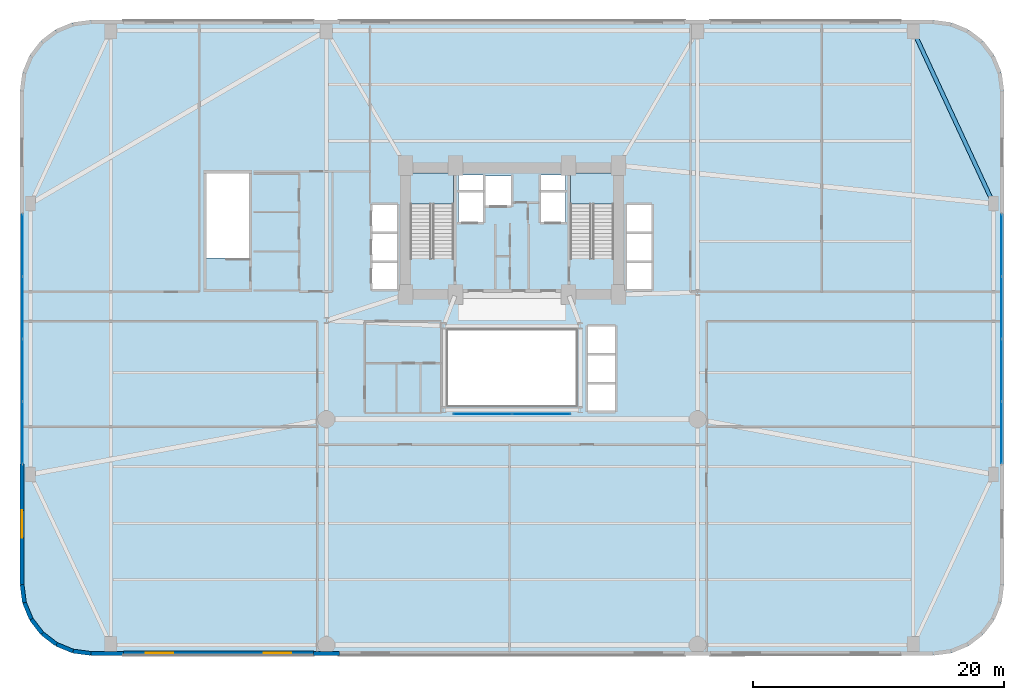
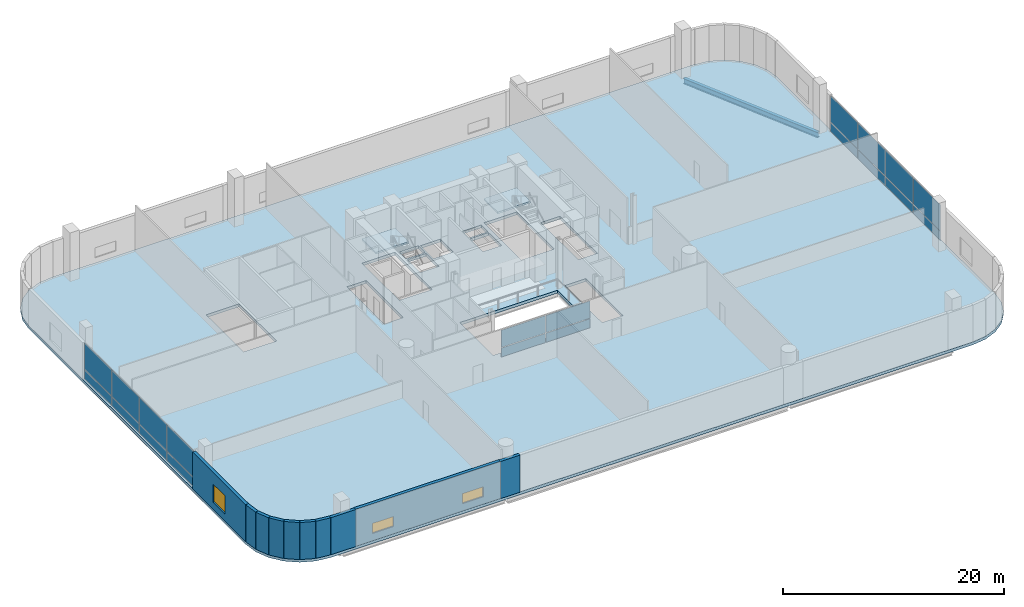
# One storey, part 21 of 31: 20 plates, 10 walls, 3 slabs, 3 windows, 1 beam, 3 openings, 5 elements without a shape of their own.
"""IFC4 building model written with IfcOpenShell, lengths in metres."""

from ifc_helpers import new_model, si_unit, direction, frame, frame_2d, origin, origin_2d, place, context, subcontext, project, spatial, polyline, rectangle, i_section, outline, extrude, source, transform, mapped, material, layer, layer_set, material_profile, profile_set, type_object, element, fill, aggregate, save


model = new_model("IFC4")

# Units and contexts
model_context = context("Model", 3, precision=1e-05, world=origin(), true_north=direction((0.0, 1.0)))
body_context = subcontext(model_context, "Body", "Model", "MODEL_VIEW")
ifc_project = project(units=[si_unit("LENGTHUNIT", "METRE"), si_unit("AREAUNIT", "SQUARE_METRE"), si_unit("VOLUMEUNIT", "CUBIC_METRE"), si_unit("PLANEANGLEUNIT", "RADIAN"), si_unit("MASSUNIT", "GRAM", prefix="KILO")], contexts=[model_context])

# Site, building, storey
site_placement = place(None, origin())
site = spatial("IfcSite", under=ifc_project, at=site_placement, CompositionType="ELEMENT")
building_placement = place(site_placement, origin())
building = spatial("IfcBuilding", under=site, at=building_placement, Name="Varnelok Gate Tower", CompositionType="ELEMENT")
storey_placement = place(building_placement, frame((0.0, 0.0, 21.60009765625)))
storey = spatial("IfcBuildingStorey", under=building, at=storey_placement, Name="L04", CompositionType="ELEMENT", Elevation=21.60009765625)

# Beam
ifc_material_1 = material(Name="Structural Steel ASTM A992 Grade 50", Category="steel")
ifc_material_profile = material_profile(ifc_material_1, i_section(OverallWidth=0.323974609375, OverallDepth=0.611083984375, WebThickness=0.0126953125, FlangeThickness=0.01904296875, FilletRadius=0.01806640625, at=origin_2d()), Name="W24X104")
ifc_profile_set = profile_set([ifc_material_profile], Name="Structural Steel ASTM A992 Grade 50")
beam_type = type_object("IfcBeamType", Name="BM-SPN-W24X104", PredefinedType="SPANDREL", material=ifc_profile_set)
beam_placement = place(storey_placement, frame((77.541015625, 36.126953125, -0.62548828125), z_axis=(-0.420722638096, 0.907189319709, 0.0), x_axis=(-0.907189319709, -0.420722638096, 0.0)))
element("IfcBeam", 1, at=beam_placement, inside=storey, type_object=beam_type, Name="L04 Podium Primary Girder 11", PredefinedType="SPANDREL", context=body_context, shape_type="SweptSolid", body=[
    extrude(i_section(OverallWidth=0.323974609375, OverallDepth=0.611083984375, WebThickness=0.0126953125, FlangeThickness=0.01904296875, FilletRadius=0.01806640625, at=origin_2d()), origin(), (0.0, 0.0, 1.0), 14.931884765625),
])

# Stair, slab
ifc_material_2 = material(Name="Concrete C50/60", Category="concrete")
stair_type = type_object("IfcStairType", Name="STR-CORE-1650", PredefinedType="HALF_TURN_STAIR", material=ifc_material_2)
stair_1_placement = place(storey_placement, origin())
stair_1 = element("IfcStair", 2, at=stair_1_placement, inside=storey, type_object=stair_type, Name="L04 Exit Stair ST-1", PredefinedType="HALF_TURN_STAIR")
ifc_material_3 = material(Name="Concrete C45/55", Category="concrete")
ifc_layer_1 = layer(ifc_material_3, 0.199951171875)
ifc_layer_set_1 = layer_set([ifc_layer_1], Name="Concrete C45/55")
slab_type_1 = type_object("IfcSlabType", Name="SLB-LAND-200", PredefinedType="LANDING", material=ifc_layer_set_1)
slab_1_placement = place(storey_placement, frame((0.0, 0.0, 2.5)))
slab_1 = element("IfcSlab", 3, at=slab_1_placement, type_object=slab_type_1, Name="ST-1 landing 1", PredefinedType="LANDING", context=body_context, shape_type="SweptSolid", body=[
    extrude(outline(polyline([(34.550048828125, 35.949951171875), (34.550048828125, 38.449951171875), (31.10009765625, 38.449951171875), (31.10009765625, 35.949951171875), (34.550048828125, 35.949951171875)])), origin(), (0.0, 0.0, 1.0), 0.199951171875),
])
aggregate(stair_1, [slab_1])

stair_2_placement = place(storey_placement, origin())
stair_2 = element("IfcStair", 4, at=stair_2_placement, inside=storey, type_object=stair_type, Name="L04 Exit Stair ST-2", PredefinedType="HALF_TURN_STAIR")
slab_2_placement = place(storey_placement, frame((0.0, 0.0, 2.5)))
slab_2 = element("IfcSlab", 5, at=slab_2_placement, type_object=slab_type_1, Name="ST-2 landing 1", PredefinedType="LANDING", context=body_context, shape_type="SweptSolid", body=[
    extrude(outline(polyline([(47.300048828125, 35.949951171875), (47.300048828125, 38.449951171875), (43.85009765625, 38.449951171875), (43.85009765625, 35.949951171875), (47.300048828125, 35.949951171875)])), origin(), (0.0, 0.0, 1.0), 0.199951171875),
])
aggregate(stair_2, [slab_2])

# Slab
ifc_material_4 = material(Name="Concrete C60/75", Category="concrete")
ifc_layer_2 = layer(ifc_material_4, 0.320068359375)
ifc_layer_set_2 = layer_set([ifc_layer_2], Name="Concrete C60/75")
slab_type_2 = type_object("IfcSlabType", Name="SLB-TRN-320", PredefinedType="FLOOR", material=ifc_layer_set_2)
slab_3_placement = place(storey_placement, frame((0.0, 0.0, -0.320068359375)))
element("IfcSlab", 6, at=slab_3_placement, inside=storey, type_object=slab_type_2, Name="L04 Structural Floor Slab", PredefinedType="FLOOR", context=body_context, shape_type="SweptSolid", body=[
    extrude(outline(polyline([(0.0, 5.60009765625), (0.19091796875, 4.150634765625), (0.750244140625, 2.800048828125), (1.64013671875, 1.64013671875), (2.800048828125, 0.750244140625), (4.150634765625, 0.19091796875), (5.60009765625, 0.0), (72.800048828125, 0.0), (74.24951171875, 0.19091796875), (75.60009765625, 0.750244140625), (76.759765625, 1.64013671875), (77.649658203125, 2.800048828125), (78.209228515625, 4.150634765625), (78.39990234375, 5.60009765625), (78.39990234375, 45.0), (78.209228515625, 46.449462890625), (77.649658203125, 47.800048828125), (76.759765625, 48.959716796875), (75.60009765625, 49.849609375), (74.24951171875, 50.4091796875), (72.800048828125, 50.60009765625), (5.60009765625, 50.60009765625), (4.150634765625, 50.4091796875), (2.800048828125, 49.849609375), (1.64013671875, 48.959716796875), (0.750244140625, 47.800048828125), (0.19091796875, 46.449462890625), (0.0, 45.0), (0.0, 5.60009765625)]), holes=[polyline([(34.550048828125, 31.679931640625), (34.550048828125, 38.449951171875), (31.10009765625, 38.449951171875), (31.10009765625, 31.679931640625), (34.550048828125, 31.679931640625)]), polyline([(47.300048828125, 31.679931640625), (47.300048828125, 38.449951171875), (43.85009765625, 38.449951171875), (43.85009765625, 31.679931640625), (47.300048828125, 31.679931640625)]), polyline([(18.25, 31.679931640625), (18.25, 38.449951171875), (14.800048828125, 38.449951171875), (14.800048828125, 31.679931640625), (18.25, 31.679931640625)]), polyline([(34.949951171875, 34.550048828125), (36.89990234375, 34.550048828125), (36.89990234375, 36.89990234375), (34.949951171875, 36.89990234375), (34.949951171875, 34.550048828125)]), polyline([(41.5, 34.550048828125), (43.449951171875, 34.550048828125), (43.449951171875, 36.89990234375), (41.5, 36.89990234375), (41.5, 34.550048828125)]), polyline([(37.050048828125, 35.85009765625), (39.14990234375, 35.85009765625), (39.14990234375, 38.199951171875), (37.050048828125, 38.199951171875), (37.050048828125, 35.85009765625)]), polyline([(28.050048828125, 29.14990234375), (30.050048828125, 29.14990234375), (30.050048828125, 35.89990234375), (28.050048828125, 35.89990234375), (28.050048828125, 29.14990234375)]), polyline([(48.35009765625, 29.14990234375), (50.35009765625, 29.14990234375), (50.35009765625, 35.89990234375), (48.35009765625, 35.89990234375), (48.35009765625, 29.14990234375)]), polyline([(45.25, 19.449951171875), (47.449951171875, 19.449951171875), (47.449951171875, 26.199951171875), (45.25, 26.199951171875), (45.25, 19.449951171875)]), polyline([(34.919921875, 37.080078125), (36.89990234375, 37.080078125), (36.89990234375, 38.280029296875), (34.919921875, 38.280029296875), (34.919921875, 37.080078125)]), polyline([(41.5, 37.080078125), (43.47998046875, 37.080078125), (43.47998046875, 38.280029296875), (41.5, 38.280029296875), (41.5, 37.080078125)]), polyline([(34.10009765625, 19.89990234375), (44.300048828125, 19.89990234375), (44.300048828125, 25.89990234375), (34.10009765625, 25.89990234375), (34.10009765625, 19.89990234375)])]), origin(), (0.0, 0.0, 1.0), 0.320068359375),
])

# Curtain wall, plates
ifc_material_5 = material(Name="Anodized Aluminum Alloy 6063-T6", Category="aluminium")
ifc_layer_3 = layer(ifc_material_5, 0.179931640625)
ifc_layer_set_3 = layer_set([ifc_layer_3], Name="Anodized Aluminum Alloy 6063-T6")
curtain_wall_type_1 = type_object("IfcCurtainWallType", Name="CW1-ARCH-PORTAL", PredefinedType="USERDEFINED", material=ifc_layer_set_3)
curtain_wall_1_placement = place(storey_placement, origin())
curtain_wall_1 = element("IfcCurtainWall", 7, at=curtain_wall_1_placement, inside=storey, type_object=curtain_wall_type_1, Name="L04 Podium Portal Curtain Wall W", ObjectType="UNITISED CURTAIN WALL", PredefinedType="USERDEFINED")
ifc_material_6 = material(Name="Low-E Laminated Double Glazing IGU", Category="glass")
ifc_layer_4 = layer(ifc_material_6, 0.028076171875)
ifc_layer_set_4 = layer_set([ifc_layer_4], Name="Low-E Laminated Double Glazing IGU")
plate_type = type_object("IfcPlateType", Name="CW-PNL-IGU28", PredefinedType="CURTAIN_PANEL", material=ifc_layer_set_4)
shared_shape_1 = source(origin(), body_context, "Body", "SweptSolid", [
    extrude(rectangle(XDim=4.887451171875, YDim=0.028076171875, at=origin_2d()), origin(), (0.0, 0.0, 1.0), 0.987548828125),
])
plate_1_placement = place(storey_placement, frame((0.159912109375, 17.71875, 0.07470703125), z_axis=(0.0, 0.0, 1.0), x_axis=(0.0, 1.0, 0.0)))
plate_1 = element("IfcPlate", 8, at=plate_1_placement, type_object=plate_type, Name="CW1 panel 1.1", PredefinedType="CURTAIN_PANEL", context=body_context, shape_type="MappedRepresentation", body=[
    mapped(shared_shape_1, transform((0.0, 0.0, 0.0), scale=1.0)),
])
plate_2_placement = place(storey_placement, frame((0.159912109375, 32.68115234375, 0.07470703125), z_axis=(0.0, 0.0, 1.0), x_axis=(0.0, 1.0, 0.0)))
plate_2 = element("IfcPlate", 9, at=plate_2_placement, type_object=plate_type, Name="CW1 panel 4.1", PredefinedType="CURTAIN_PANEL", context=body_context, shape_type="MappedRepresentation", body=[
    mapped(shared_shape_1, transform((0.0, 0.0, 0.0), scale=1.0)),
])

curtain_wall_2_placement = place(storey_placement, origin())
curtain_wall_2 = element("IfcCurtainWall", 10, at=curtain_wall_2_placement, inside=storey, type_object=curtain_wall_type_1, Name="L04 Podium Portal Curtain Wall E", ObjectType="UNITISED CURTAIN WALL", PredefinedType="USERDEFINED")
plate_3_placement = place(storey_placement, frame((78.239990234375, 32.68115234375, 0.07470703125), z_axis=(0.0, 0.0, 1.0), x_axis=(0.0, -1.0, 0.0)))
plate_3 = element("IfcPlate", 11, at=plate_3_placement, type_object=plate_type, Name="CW1 panel 1.1", PredefinedType="CURTAIN_PANEL", context=body_context, shape_type="MappedRepresentation", body=[
    mapped(shared_shape_1, transform((0.0, 0.0, 0.0), scale=1.0)),
])
plate_4_placement = place(storey_placement, frame((78.239990234375, 17.71875, 0.07470703125), z_axis=(0.0, 0.0, 1.0), x_axis=(0.0, -1.0, 0.0)))
plate_4 = element("IfcPlate", 12, at=plate_4_placement, type_object=plate_type, Name="CW1 panel 4.1", PredefinedType="CURTAIN_PANEL", context=body_context, shape_type="MappedRepresentation", body=[
    mapped(shared_shape_1, transform((0.0, 0.0, 0.0), scale=1.0)),
])

# Plate
shared_shape_2 = source(origin(), body_context, "Body", "SweptSolid", [
    extrude(rectangle(XDim=4.925048828125, YDim=0.028076171875, at=origin_2d()), origin(), (0.0, 0.0, 1.0), 0.987548828125),
])
plate_5_placement = place(storey_placement, frame((0.159912109375, 22.699951171875, 0.07470703125), z_axis=(0.0, 0.0, 1.0), x_axis=(0.0, 1.0, 0.0)))
plate_5 = element("IfcPlate", 13, at=plate_5_placement, type_object=plate_type, Name="CW1 panel 2.1", PredefinedType="CURTAIN_PANEL", context=body_context, shape_type="MappedRepresentation", body=[
    mapped(shared_shape_2, transform((0.0, 0.0, 0.0), scale=1.0)),
])

plate_6_placement = place(storey_placement, frame((0.159912109375, 27.699951171875, 0.07470703125), z_axis=(0.0, 0.0, 1.0), x_axis=(0.0, 1.0, 0.0)))
plate_6 = element("IfcPlate", 14, at=plate_6_placement, type_object=plate_type, Name="CW1 panel 3.1", PredefinedType="CURTAIN_PANEL", context=body_context, shape_type="MappedRepresentation", body=[
    mapped(shared_shape_2, transform((0.0, 0.0, 0.0), scale=1.0)),
])

plate_7_placement = place(storey_placement, frame((78.239990234375, 27.699951171875, 0.07470703125), z_axis=(0.0, 0.0, 1.0), x_axis=(0.0, -1.0, 0.0)))
plate_7 = element("IfcPlate", 15, at=plate_7_placement, type_object=plate_type, Name="CW1 panel 2.1", PredefinedType="CURTAIN_PANEL", context=body_context, shape_type="MappedRepresentation", body=[
    mapped(shared_shape_2, transform((0.0, 0.0, 0.0), scale=1.0)),
])

plate_8_placement = place(storey_placement, frame((78.239990234375, 22.699951171875, 0.07470703125), z_axis=(0.0, 0.0, 1.0), x_axis=(0.0, -1.0, 0.0)))
plate_8 = element("IfcPlate", 16, at=plate_8_placement, type_object=plate_type, Name="CW1 panel 3.1", PredefinedType="CURTAIN_PANEL", context=body_context, shape_type="MappedRepresentation", body=[
    mapped(shared_shape_2, transform((0.0, 0.0, 0.0), scale=1.0)),
])

# Curtain wall, plates
ifc_layer_5 = layer(ifc_material_5, 0.179931640625)
ifc_layer_set_5 = layer_set([ifc_layer_5], Name="Anodized Aluminum Alloy 6063-T6")
curtain_wall_type_2 = type_object("IfcCurtainWallType", Name="CW2-ATRIUM-GLAZING", PredefinedType="USERDEFINED", material=ifc_layer_set_5)
curtain_wall_3_placement = place(storey_placement, origin())
curtain_wall_3 = element("IfcCurtainWall", 17, at=curtain_wall_3_placement, inside=storey, type_object=curtain_wall_type_2, Name="L04 Internal Atrium Gallery Curtain Wall", ObjectType="UNITISED CURTAIN WALL", PredefinedType="USERDEFINED")
shared_shape_3 = source(origin(), body_context, "Body", "SweptSolid", [
    extrude(rectangle(XDim=4.6025390625, YDim=0.028076171875, at=origin_2d()), origin(), (0.0, 0.0, 1.0), 1.00244140625),
])
plate_9_placement = place(storey_placement, frame((36.8662109375, 19.219970703125, 0.06494140625), z_axis=(0.0, 0.0, 1.0), x_axis=(1.0, 0.0, 0.0)))
plate_9 = element("IfcPlate", 18, at=plate_9_placement, type_object=plate_type, Name="CW2 panel 1.1", PredefinedType="CURTAIN_PANEL", context=body_context, shape_type="MappedRepresentation", body=[
    mapped(shared_shape_3, transform((0.0, 0.0, 0.0), scale=1.0)),
])
plate_10_placement = place(storey_placement, frame((41.53369140625, 19.219970703125, 0.06494140625), z_axis=(0.0, 0.0, 1.0), x_axis=(1.0, 0.0, 0.0)))
plate_10 = element("IfcPlate", 19, at=plate_10_placement, type_object=plate_type, Name="CW2 panel 2.1", PredefinedType="CURTAIN_PANEL", context=body_context, shape_type="MappedRepresentation", body=[
    mapped(shared_shape_3, transform((0.0, 0.0, 0.0), scale=1.0)),
])
shared_shape_4 = source(origin(), body_context, "Body", "SweptSolid", [
    extrude(rectangle(XDim=4.6025390625, YDim=0.028076171875, at=origin_2d()), origin(), (0.0, 0.0, 1.0), 1.902587890625),
])
plate_11_placement = place(storey_placement, frame((36.8662109375, 19.219970703125, 1.13232421875), z_axis=(0.0, 0.0, 1.0), x_axis=(1.0, 0.0, 0.0)))
plate_11 = element("IfcPlate", 20, at=plate_11_placement, type_object=plate_type, Name="CW2 panel 1.2", PredefinedType="CURTAIN_PANEL", context=body_context, shape_type="MappedRepresentation", body=[
    mapped(shared_shape_4, transform((0.0, 0.0, 0.0), scale=1.0)),
])
plate_12_placement = place(storey_placement, frame((41.53369140625, 19.219970703125, 1.13232421875), z_axis=(0.0, 0.0, 1.0), x_axis=(1.0, 0.0, 0.0)))
plate_12 = element("IfcPlate", 21, at=plate_12_placement, type_object=plate_type, Name="CW2 panel 2.2", PredefinedType="CURTAIN_PANEL", context=body_context, shape_type="MappedRepresentation", body=[
    mapped(shared_shape_4, transform((0.0, 0.0, 0.0), scale=1.0)),
])
aggregate(curtain_wall_3, [plate_9, plate_11, plate_10, plate_12])

# Plate
shared_shape_5 = source(origin(), body_context, "Body", "SweptSolid", [
    extrude(rectangle(XDim=4.887451171875, YDim=0.028076171875, at=origin_2d()), origin(), (0.0, 0.0, 1.0), 2.887451171875),
])
plate_13_placement = place(storey_placement, frame((0.159912109375, 17.71875, 1.13720703125), z_axis=(0.0, 0.0, 1.0), x_axis=(0.0, 1.0, 0.0)))
plate_13 = element("IfcPlate", 22, at=plate_13_placement, type_object=plate_type, Name="CW1 panel 1.2", PredefinedType="CURTAIN_PANEL", context=body_context, shape_type="MappedRepresentation", body=[
    mapped(shared_shape_5, transform((0.0, 0.0, 0.0), scale=1.0)),
])

plate_14_placement = place(storey_placement, frame((0.159912109375, 32.68115234375, 1.13720703125), z_axis=(0.0, 0.0, 1.0), x_axis=(0.0, 1.0, 0.0)))
plate_14 = element("IfcPlate", 23, at=plate_14_placement, type_object=plate_type, Name="CW1 panel 4.2", PredefinedType="CURTAIN_PANEL", context=body_context, shape_type="MappedRepresentation", body=[
    mapped(shared_shape_5, transform((0.0, 0.0, 0.0), scale=1.0)),
])

plate_15_placement = place(storey_placement, frame((78.239990234375, 32.68115234375, 1.13720703125), z_axis=(0.0, 0.0, 1.0), x_axis=(0.0, -1.0, 0.0)))
plate_15 = element("IfcPlate", 24, at=plate_15_placement, type_object=plate_type, Name="CW1 panel 1.2", PredefinedType="CURTAIN_PANEL", context=body_context, shape_type="MappedRepresentation", body=[
    mapped(shared_shape_5, transform((0.0, 0.0, 0.0), scale=1.0)),
])

plate_16_placement = place(storey_placement, frame((78.239990234375, 17.71875, 1.13720703125), z_axis=(0.0, 0.0, 1.0), x_axis=(0.0, -1.0, 0.0)))
plate_16 = element("IfcPlate", 25, at=plate_16_placement, type_object=plate_type, Name="CW1 panel 4.2", PredefinedType="CURTAIN_PANEL", context=body_context, shape_type="MappedRepresentation", body=[
    mapped(shared_shape_5, transform((0.0, 0.0, 0.0), scale=1.0)),
])

shared_shape_6 = source(origin(), body_context, "Body", "SweptSolid", [
    extrude(rectangle(XDim=4.925048828125, YDim=0.028076171875, at=origin_2d()), origin(), (0.0, 0.0, 1.0), 2.887451171875),
])
plate_17_placement = place(storey_placement, frame((0.159912109375, 22.699951171875, 1.13720703125), z_axis=(0.0, 0.0, 1.0), x_axis=(0.0, 1.0, 0.0)))
plate_17 = element("IfcPlate", 26, at=plate_17_placement, type_object=plate_type, Name="CW1 panel 2.2", PredefinedType="CURTAIN_PANEL", context=body_context, shape_type="MappedRepresentation", body=[
    mapped(shared_shape_6, transform((0.0, 0.0, 0.0), scale=1.0)),
])

plate_18_placement = place(storey_placement, frame((0.159912109375, 27.699951171875, 1.13720703125), z_axis=(0.0, 0.0, 1.0), x_axis=(0.0, 1.0, 0.0)))
plate_18 = element("IfcPlate", 27, at=plate_18_placement, type_object=plate_type, Name="CW1 panel 3.2", PredefinedType="CURTAIN_PANEL", context=body_context, shape_type="MappedRepresentation", body=[
    mapped(shared_shape_6, transform((0.0, 0.0, 0.0), scale=1.0)),
])

aggregate(curtain_wall_1, [plate_1, plate_13, plate_5, plate_17, plate_6, plate_18, plate_2, plate_14])

plate_19_placement = place(storey_placement, frame((78.239990234375, 27.699951171875, 1.13720703125), z_axis=(0.0, 0.0, 1.0), x_axis=(0.0, -1.0, 0.0)))
plate_19 = element("IfcPlate", 28, at=plate_19_placement, type_object=plate_type, Name="CW1 panel 2.2", PredefinedType="CURTAIN_PANEL", context=body_context, shape_type="MappedRepresentation", body=[
    mapped(shared_shape_6, transform((0.0, 0.0, 0.0), scale=1.0)),
])

plate_20_placement = place(storey_placement, frame((78.239990234375, 22.699951171875, 1.13720703125), z_axis=(0.0, 0.0, 1.0), x_axis=(0.0, -1.0, 0.0)))
plate_20 = element("IfcPlate", 29, at=plate_20_placement, type_object=plate_type, Name="CW1 panel 3.2", PredefinedType="CURTAIN_PANEL", context=body_context, shape_type="MappedRepresentation", body=[
    mapped(shared_shape_6, transform((0.0, 0.0, 0.0), scale=1.0)),
])

aggregate(curtain_wall_2, [plate_3, plate_15, plate_7, plate_19, plate_8, plate_20, plate_4, plate_16])

# Wall, openings, windows
ifc_layer_6 = layer(ifc_material_3, 0.320068359375)
ifc_layer_set_6 = layer_set([ifc_layer_6], Name="Concrete C45/55")
wall_type = type_object("IfcWallType", Name="EW-POD-320", PredefinedType="SOLIDWALL", material=ifc_layer_set_6)
wall_1_placement = place(storey_placement, frame((23.39990234375, 0.159912109375, 0.0), z_axis=(0.0, 0.0, 1.0), x_axis=(-1.0, 0.0, 0.0)))
wall_1 = element("IfcWall", 30, at=wall_1_placement, inside=storey, type_object=wall_type, Name="L04 South Podium Arch Facade Wall 1", PredefinedType="SOLIDWALL", context=body_context, shape_type="SweptSolid", body=[
    extrude(rectangle(XDim=15.199951171875, YDim=0.320068359375, at=frame_2d((7.60009765625, 0.0))), origin(), (0.0, 0.0, 1.0), 4.099853515625),
])
opening_1_placement = place(wall_1_placement, frame((1.800048828125, 0.0, 0.800048828125)))
opening_1 = element("IfcOpeningElement", 31, at=opening_1_placement, cuts=wall_1, Name="Opening WN2B", PredefinedType="OPENING", context=body_context, shape_type="SweptSolid", body=[
    extrude(rectangle(XDim=2.199951171875, YDim=1.110107421875, at=frame_2d((1.10009765625, 0.55517578125))), frame((0.0, 0.169921875, 0.0), z_axis=(0.0, -1.0, 0.0), x_axis=(1.0, 0.0, 0.0)), (0.0, 0.0, 1.0), 0.340087890625),
])
opening_2_placement = place(wall_1_placement, frame((11.199951171875, 0.0, 0.800048828125)))
opening_2 = element("IfcOpeningElement", 32, at=opening_2_placement, cuts=wall_1, Name="Opening WN2B", PredefinedType="OPENING", context=body_context, shape_type="SweptSolid", body=[
    extrude(rectangle(XDim=2.199951171875, YDim=1.110107421875, at=frame_2d((1.10009765625, 0.55517578125))), frame((0.0, 0.169921875, 0.0), z_axis=(0.0, -1.0, 0.0), x_axis=(1.0, 0.0, 0.0)), (0.0, 0.0, 1.0), 0.340087890625),
])
window_type_1 = type_object("IfcWindowType", Name="WN-POD-2200X1110", PartitioningType="SINGLE_PANEL", PredefinedType="WINDOW", material=ifc_material_6)
window_1_placement = place(opening_1_placement, origin())
window_1 = element("IfcWindow", 33, at=window_1_placement, inside=storey, type_object=window_type_1, Name="L04 Podium Arch Facade Window S1.1", OverallHeight=1.110107421875, OverallWidth=2.199951171875, PartitioningType="SINGLE_PANEL", PredefinedType="WINDOW", context=body_context, shape_type="SweptSolid", body=[
    extrude(rectangle(XDim=2.199951171875, YDim=1.110107421875, at=frame_2d((1.10009765625, 0.55517578125))), frame((0.0, 0.030029296875, 0.0), z_axis=(0.0, -1.0, 0.0), x_axis=(1.0, 0.0, 0.0)), (0.0, 0.0, 1.0), 0.06005859375),
])
fill(opening_1, window_1)
window_2_placement = place(opening_2_placement, origin())
window_2 = element("IfcWindow", 34, at=window_2_placement, inside=storey, type_object=window_type_1, Name="L04 Podium Arch Facade Window S1.2", OverallHeight=1.110107421875, OverallWidth=2.199951171875, PartitioningType="SINGLE_PANEL", PredefinedType="WINDOW", context=body_context, shape_type="SweptSolid", body=[
    extrude(rectangle(XDim=2.199951171875, YDim=1.110107421875, at=frame_2d((1.10009765625, 0.55517578125))), frame((0.0, 0.030029296875, 0.0), z_axis=(0.0, -1.0, 0.0), x_axis=(1.0, 0.0, 0.0)), (0.0, 0.0, 1.0), 0.06005859375),
])
fill(opening_2, window_2)

# Walls
wall_2_placement = place(storey_placement, frame((0.1201171875, 5.60791015625, 0.0), z_axis=(0.0, 0.0, 1.0), x_axis=(0.130362303307, -0.991466423978, 0.0)))
element("IfcWall", 35, at=wall_2_placement, inside=storey, type_object=wall_type, Name="L04 Perimeter Facade Closure Wall 1", PredefinedType="SOLIDWALL", context=body_context, shape_type="SweptSolid", body=[
    extrude(rectangle(XDim=1.438232421875, YDim=0.320068359375, at=frame_2d((0.71923828125, 0.0))), origin(), (0.0, 0.0, 1.0), 4.099853515625),
])
wall_3_placement = place(storey_placement, frame((0.3173828125, 4.15869140625, 0.0), z_axis=(0.0, 0.0, 1.0), x_axis=(0.382628033724, -0.923902477434, 0.0)))
element("IfcWall", 36, at=wall_3_placement, inside=storey, type_object=wall_type, Name="L04 Perimeter Facade Closure Wall 2", PredefinedType="SOLIDWALL", context=body_context, shape_type="SweptSolid", body=[
    extrude(rectangle(XDim=1.405029296875, YDim=0.320068359375, at=frame_2d((0.70263671875, 0.0))), origin(), (0.0, 0.0, 1.0), 4.099853515625),
])
wall_4_placement = place(storey_placement, frame((0.870361328125, 2.8408203125, 0.0), z_axis=(0.0, 0.0, 1.0), x_axis=(0.60871962085, -0.79338541907, 0.0)))
element("IfcWall", 37, at=wall_4_placement, inside=storey, type_object=wall_type, Name="L04 Perimeter Facade Closure Wall 3", PredefinedType="SOLIDWALL", context=body_context, shape_type="SweptSolid", body=[
    extrude(rectangle(XDim=1.4052734375, YDim=0.320068359375, at=frame_2d((0.70263671875, 0.0))), origin(), (0.0, 0.0, 1.0), 4.099853515625),
])
for number, where, z_axis, x_axis, name in (
    (38, (1.74560546875, 1.710693359375, 0.0), (0.0, 0.0, 1.0), (0.793301521807, -0.608828954222, 0.0), "L04 Perimeter Facade Closure Wall 4"),
    (39, (2.883544921875, 0.845703125, 0.0), (0.0, 0.0, 1.0), (0.923805060986, -0.382863173075, 0.0), "L04 Perimeter Facade Closure Wall 5"),
):
    element("IfcWall", number, at=place(storey_placement, frame(where, z_axis=z_axis, x_axis=x_axis)), inside=storey, type_object=wall_type, Name=name, PredefinedType="SOLIDWALL", context=body_context, shape_type="SweptSolid", body=[
        extrude(rectangle(XDim=1.405517578125, YDim=0.320068359375, at=frame_2d((0.70263671875, 0.0))), origin(), (0.0, 0.0, 1.0), 4.099853515625),
    ])
wall_5_placement = place(storey_placement, frame((4.206787109375, 0.304443359375, 0.0), z_axis=(0.0, 0.0, 1.0), x_axis=(0.991457235349, -0.130432168094, 0.0)))
element("IfcWall", 40, at=wall_5_placement, inside=storey, type_object=wall_type, Name="L04 Perimeter Facade Closure Wall 6", PredefinedType="SOLIDWALL", context=body_context, shape_type="SweptSolid", body=[
    extrude(rectangle(XDim=1.4130859375, YDim=0.320068359375, at=frame_2d((0.70654296875, 0.0))), origin(), (0.0, 0.0, 1.0), 4.099853515625),
])
wall_6_placement = place(storey_placement, frame((5.6328125, 0.1201171875, 0.0), z_axis=(0.0, 0.0, 1.0), x_axis=(1.0, 0.0, 0.0)))
element("IfcWall", 41, at=wall_6_placement, inside=storey, type_object=wall_type, Name="L04 Perimeter Facade Closure Wall 7", PredefinedType="SOLIDWALL", context=body_context, shape_type="SweptSolid", body=[
    extrude(rectangle(XDim=2.59716796875, YDim=0.320068359375, at=frame_2d((1.298583984375, 0.0))), origin(), (0.0, 0.0, 1.0), 4.099853515625),
])
wall_7_placement = place(storey_placement, frame((23.3701171875, 0.1201171875, 0.0), z_axis=(0.0, 0.0, 1.0), x_axis=(1.0, 0.0, 0.0)))
element("IfcWall", 42, at=wall_7_placement, inside=storey, type_object=wall_type, Name="L04 Perimeter Facade Closure Wall 8", PredefinedType="SOLIDWALL", context=body_context, shape_type="SweptSolid", body=[
    extrude(rectangle(XDim=2.059814453125, YDim=0.320068359375, at=frame_2d((1.02978515625, 0.0))), origin(), (0.0, 0.0, 1.0), 4.099853515625),
])

# Wall, opening, window
wall_8_placement = place(storey_placement, frame((0.1201171875, 15.22998046875, 0.0), z_axis=(0.0, 0.0, 1.0), x_axis=(0.0, -1.0, 0.0)))
wall_8 = element("IfcWall", 43, at=wall_8_placement, inside=storey, type_object=wall_type, Name="L04 Perimeter Facade Closure Wall 36", PredefinedType="SOLIDWALL", context=body_context, shape_type="SweptSolid", body=[
    extrude(rectangle(XDim=9.59716796875, YDim=0.320068359375, at=frame_2d((4.798583984375, 0.0))), origin(), (0.0, 0.0, 1.0), 4.099853515625),
])
opening_3_placement = place(wall_8_placement, frame((3.698486328125, 0.0, 0.800048828125)))
opening_3 = element("IfcOpeningElement", 44, at=opening_3_placement, cuts=wall_8, Name="Opening WN2A", PredefinedType="OPENING", context=body_context, shape_type="SweptSolid", body=[
    extrude(rectangle(XDim=2.199951171875, YDim=2.0, at=frame_2d((1.10009765625, 1.0))), frame((0.0, 0.169921875, 0.0), z_axis=(0.0, -1.0, 0.0), x_axis=(1.0, 0.0, 0.0)), (0.0, 0.0, 1.0), 0.340087890625),
])
window_type_2 = type_object("IfcWindowType", Name="WN-POD-2200X2000", PartitioningType="SINGLE_PANEL", PredefinedType="WINDOW", material=ifc_material_6)
window_3_placement = place(opening_3_placement, origin())
window_3 = element("IfcWindow", 45, at=window_3_placement, inside=storey, type_object=window_type_2, Name="L04 Perimeter Vision Window 36", OverallHeight=2.0, OverallWidth=2.199951171875, PartitioningType="SINGLE_PANEL", PredefinedType="WINDOW", context=body_context, shape_type="SweptSolid", body=[
    extrude(rectangle(XDim=2.199951171875, YDim=2.0, at=frame_2d((1.10009765625, 1.0))), frame((0.0, 0.030029296875, 0.0), z_axis=(0.0, -1.0, 0.0), x_axis=(1.0, 0.0, 0.0)), (0.0, 0.0, 1.0), 0.06005859375),
])
fill(opening_3, window_3)

save(model, "model.ifc")
